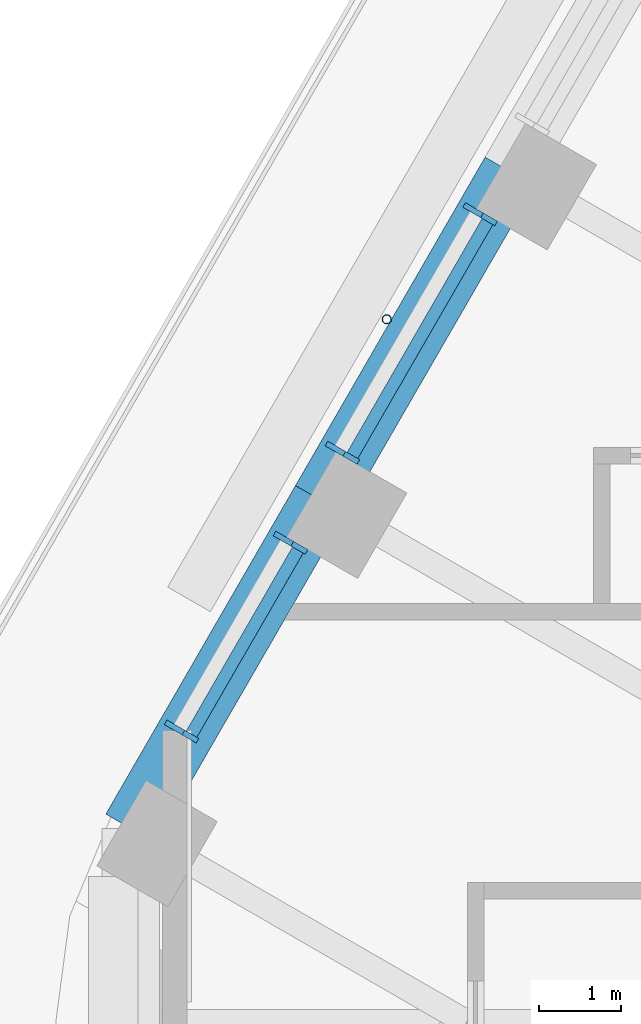
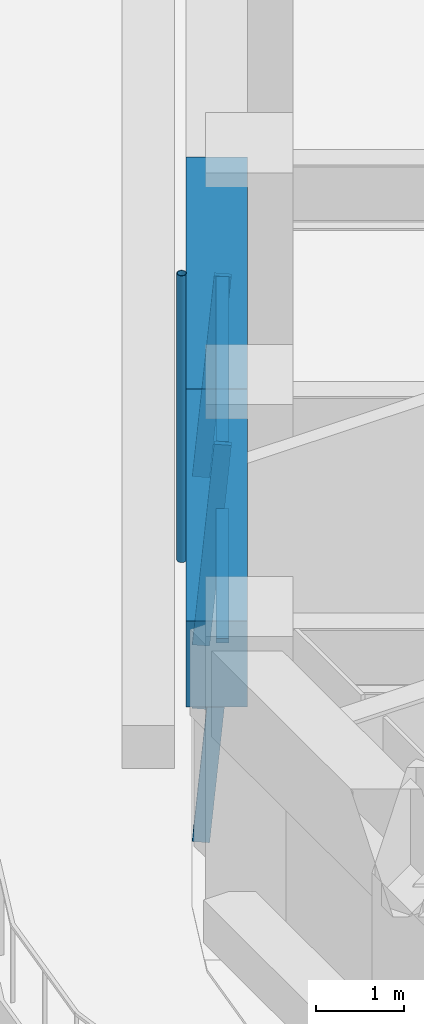
# One storey, part 6 of 20: 7 members, 2 beams, 2 elements without a shape of their own.
"""IFC4 building model written with IfcOpenShell, lengths in metres."""

from ifc_helpers import new_model, si_unit, direction, frame, origin, origin_2d, place, context, subcontext, project, spatial, rectangle, hollow_circle, extrude, material, material_profile, profile_set, type_object, element, aggregate, save


model = new_model("IFC4")

# Units and contexts
model_context = context("Model", 3, precision=1e-05, world=origin(), true_north=direction((0.0, 1.0)))
body_context = subcontext(model_context, "Body", "Model", "MODEL_VIEW")
ifc_project = project(units=[si_unit("LENGTHUNIT", "METRE"), si_unit("AREAUNIT", "SQUARE_METRE"), si_unit("VOLUMEUNIT", "CUBIC_METRE"), si_unit("PLANEANGLEUNIT", "RADIAN"), si_unit("MASSUNIT", "GRAM", prefix="KILO")], contexts=[model_context])

# Site, building, storey
site_placement = place(None, origin())
site = spatial("IfcSite", under=ifc_project, at=site_placement, CompositionType="ELEMENT")
building_placement = place(site_placement, origin())
building = spatial("IfcBuilding", under=site, at=building_placement, Name="Tarfa Lantern Tower", CompositionType="ELEMENT")
storey_placement = place(building_placement, frame((0.0, 0.0, 274.300048828125)))
storey = spatial("IfcBuildingStorey", under=building, at=storey_placement, Name="L62", CompositionType="ELEMENT", Elevation=274.300048828125)

# Curtain wall, members
ifc_material_1 = material(Name="Aluminium framed curtain wall", Category="aluminium")
curtain_wall_type = type_object("IfcCurtainWallType", Name="CW3 CANTED GLAZING HIGH ZONE 2800", PredefinedType="USERDEFINED", material=ifc_material_1)
curtain_wall_1_placement = place(storey_placement, origin())
curtain_wall_1 = element("IfcCurtainWall", 1, at=curtain_wall_1_placement, inside=storey, type_object=curtain_wall_type, Name="CW3 NW L62", ObjectType="CURTAIN WALL", PredefinedType="USERDEFINED")
ifc_material_2 = material(Name="Aluminium mullion", Category="aluminium")
ifc_material_profile_1 = material_profile(ifc_material_2, rectangle(XDim=0.06494140625, YDim=0.199951171875, at=origin_2d()), Name="AL MULLION 65x200")
ifc_profile_set_1 = profile_set([ifc_material_profile_1], Name="Aluminium mullion")
member_type_1 = type_object("IfcMemberType", Name="CWM1 MULLION 65x200", PredefinedType="MULLION", material=ifc_profile_set_1)
member_1_placement = place(storey_placement, frame((-27.65380859375, 9.90234375, 0.0), z_axis=(0.077032386753, -0.044465143199, 0.996036576854), x_axis=(0.499919672301, 0.866071776036, 0.0)))
member_1 = element("IfcMember", 2, at=member_1_placement, type_object=member_type_1, Name="CW3 mullion 1", PredefinedType="MULLION", context=body_context, shape_type="SweptSolid", body=[
    extrude(rectangle(XDim=0.06494140625, YDim=0.199951171875, at=origin_2d()), origin(), (0.0, 0.0, 1.0), 2.811279296875),
])
member_2_placement = place(storey_placement, frame((-29.33056640625, 6.997802734375, 0.0), z_axis=(0.076946055247, -0.044465440504, 0.996043236603), x_axis=(0.500342721131, 0.865827443207, 0.0)))
member_2 = element("IfcMember", 3, at=member_2_placement, type_object=member_type_1, Name="CW3 mullion 2", PredefinedType="MULLION", context=body_context, shape_type="SweptSolid", body=[
    extrude(rectangle(XDim=0.06494140625, YDim=0.199951171875, at=origin_2d()), origin(), (0.0, 0.0, 1.0), 2.811279296875),
])

curtain_wall_2_placement = place(storey_placement, origin())
curtain_wall_2 = element("IfcCurtainWall", 4, at=curtain_wall_2_placement, inside=storey, type_object=curtain_wall_type, Name="CW3 NW L62", ObjectType="CURTAIN WALL", PredefinedType="USERDEFINED")
member_3_placement = place(storey_placement, frame((-29.963134765625, 5.90234375, 0.0), z_axis=(0.077032386753, -0.044465143199, 0.996036576854), x_axis=(0.499919672301, 0.866071776036, 0.0)))
member_3 = element("IfcMember", 5, at=member_3_placement, type_object=member_type_1, Name="CW3 mullion 1", PredefinedType="MULLION", context=body_context, shape_type="SweptSolid", body=[
    extrude(rectangle(XDim=0.06494140625, YDim=0.199951171875, at=origin_2d()), origin(), (0.0, 0.0, 1.0), 2.811279296875),
])
member_4_placement = place(storey_placement, frame((-31.2900390625, 3.60400390625, 0.0), z_axis=(0.077032386753, -0.044465143199, 0.996036576854), x_axis=(0.499919672301, 0.866071776036, 0.0)))
member_4 = element("IfcMember", 6, at=member_4_placement, type_object=member_type_1, Name="CW3 mullion 2", PredefinedType="MULLION", context=body_context, shape_type="SweptSolid", body=[
    extrude(rectangle(XDim=0.06494140625, YDim=0.199951171875, at=origin_2d()), origin(), (0.0, 0.0, 1.0), 2.811279296875),
])

# Member
ifc_material_3 = material(Name="Aluminium transom", Category="aluminium")
ifc_material_profile_2 = material_profile(ifc_material_3, rectangle(XDim=0.14990234375, YDim=0.06494140625, at=origin_2d()), Name="AL TRANSOM 150x65")
ifc_profile_set_2 = profile_set([ifc_material_profile_2], Name="Aluminium transom")
member_type_2 = type_object("IfcMemberType", Name="CWT1 TRANSOM 150x65", PredefinedType="USERDEFINED", material=ifc_profile_set_2)
member_5_placement = place(storey_placement, frame((-27.4560546875, 9.75048828125, 2.767333984375), z_axis=(-0.499979497339, -0.866037240677, 0.0), x_axis=(0.866037240677, -0.499979497339, 0.0)))
member_5 = element("IfcMember", 7, at=member_5_placement, type_object=member_type_2, Name="CW3 transom 1.2", ObjectType="TRANSOM", PredefinedType="USERDEFINED", context=body_context, shape_type="SweptSolid", body=[
    extrude(rectangle(XDim=0.14990234375, YDim=0.06494140625, at=origin_2d()), origin(), (0.0, 0.0, 1.0), 3.288818359375),
])

aggregate(curtain_wall_1, [member_1, member_2, member_5])

member_6_placement = place(storey_placement, frame((-29.765380859375, 5.75048828125, 2.767333984375), z_axis=(-0.5000136139, -0.866017543653, 0.0), x_axis=(0.866017543653, -0.5000136139, 0.0)))
member_6 = element("IfcMember", 8, at=member_6_placement, type_object=member_type_2, Name="CW3 transom 1.2", ObjectType="TRANSOM", PredefinedType="USERDEFINED", context=body_context, shape_type="SweptSolid", body=[
    extrude(rectangle(XDim=0.14990234375, YDim=0.06494140625, at=origin_2d()), origin(), (0.0, 0.0, 1.0), 2.5888671875),
])

aggregate(curtain_wall_2, [member_3, member_4, member_6])

# Beams
ifc_material_4 = material(Name="Concrete C80/95", Category="concrete")
ifc_material_profile_3 = material_profile(ifc_material_4, rectangle(XDim=0.699951171875, YDim=1.199951171875, at=origin_2d()), Name="RC 700x1200")
ifc_profile_set_3 = profile_set([ifc_material_profile_3], Name="Concrete C80/95")
beam_type = type_object("IfcBeamType", Name="EB3 RC 700x1200", PredefinedType="SPANDREL", material=ifc_profile_set_3)
beam_1_placement = place(storey_placement, frame((-27.181640625, 10.360107421875, 3.39990234375), z_axis=(-0.499987836815, -0.866032426089, 0.0), x_axis=(0.866032426089, -0.499987836815, 0.0)))
element("IfcBeam", 9, at=beam_1_placement, inside=storey, type_object=beam_type, Name="Edge beam NW4", PredefinedType="SPANDREL", context=body_context, shape_type="SweptSolid", body=[
    extrude(rectangle(XDim=0.699951171875, YDim=1.199951171875, at=origin_2d()), origin(), (0.0, 0.0, 1.0), 4.61865234375),
])
beam_2_placement = place(storey_placement, frame((-29.490966796875, 6.360107421875, 3.39990234375), z_axis=(-0.500027479704, -0.866009537788, 0.0), x_axis=(0.866009537788, -0.500027479704, 0.0)))
element("IfcBeam", 10, at=beam_2_placement, inside=storey, type_object=beam_type, Name="Edge beam NW5", PredefinedType="SPANDREL", context=body_context, shape_type="SweptSolid", body=[
    extrude(rectangle(XDim=0.699951171875, YDim=1.199951171875, at=origin_2d()), origin(), (0.0, 0.0, 1.0), 4.618896484375),
])

# Member
ifc_material_5 = material(Name="Steel S355", Category="steel")
ifc_material_profile_4 = material_profile(ifc_material_5, hollow_circle(Radius=0.05712890625, WallThickness=0.00634765625, at=origin_2d()), Name="CHS114.3x6.3")
ifc_profile_set_4 = profile_set([ifc_material_profile_4], Name="Steel S355")
member_type_3 = type_object("IfcMemberType", Name="TR1 GREEN WALL TRELLIS CHS114.3x6.3", PredefinedType="USERDEFINED", material=ifc_profile_set_4)
member_7_placement = place(storey_placement, frame((-28.682861328125, 8.56005859375, 0.0), z_axis=(0.0, 0.0, 1.0), x_axis=(1.0, 0.0, 0.0)))
element("IfcMember", 11, at=member_7_placement, inside=storey, type_object=member_type_3, Name="Trellis post NW 2", ObjectType="TRELLIS", PredefinedType="USERDEFINED", context=body_context, shape_type="SweptSolid", body=[
    extrude(hollow_circle(Radius=0.05712890625, WallThickness=0.00634765625, at=origin_2d()), origin(), (0.0, 0.0, 1.0), 4.0),
])

save(model, "model.ifc")
